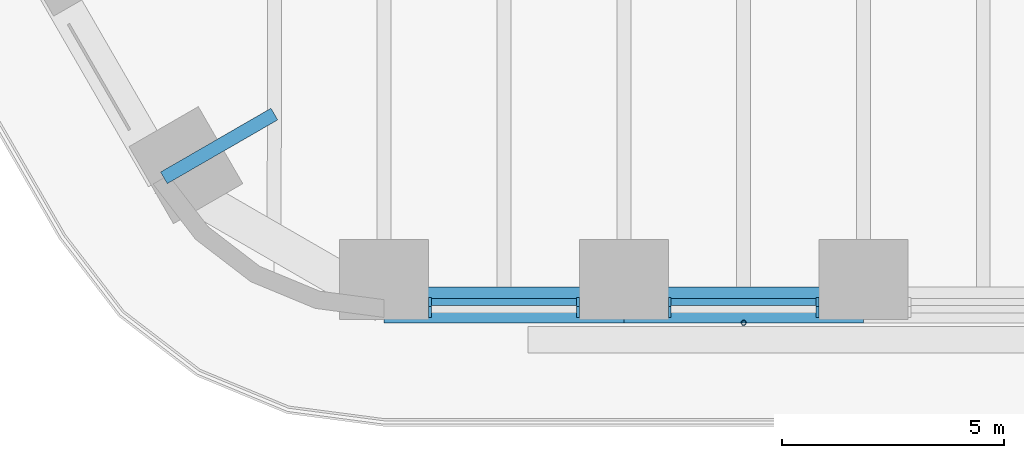
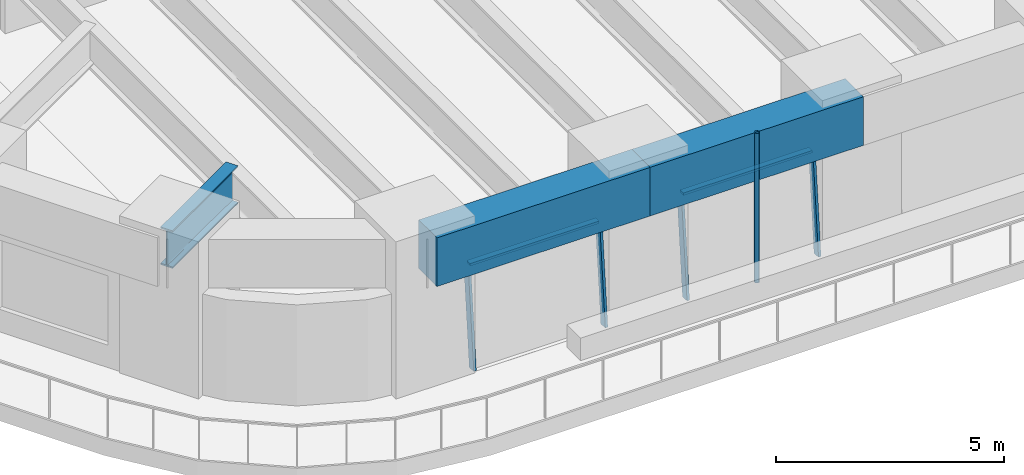
# One storey, part 2 of 23: 7 members, 3 beams, 2 elements without a shape of their own.
"""IFC4 building model written with IfcOpenShell, lengths in metres."""

from ifc_helpers import new_model, si_unit, direction, frame, origin, origin_2d, place, context, subcontext, project, spatial, rectangle, hollow_circle, i_section, extrude, material, material_profile, profile_set, type_object, element, aggregate, save


model = new_model("IFC4")

# Units and contexts
model_context = context("Model", 3, precision=1e-05, world=origin(), true_north=direction((0.0, 1.0)))
body_context = subcontext(model_context, "Body", "Model", "MODEL_VIEW")
ifc_project = project(units=[si_unit("LENGTHUNIT", "METRE"), si_unit("AREAUNIT", "SQUARE_METRE"), si_unit("VOLUMEUNIT", "CUBIC_METRE"), si_unit("PLANEANGLEUNIT", "RADIAN"), si_unit("MASSUNIT", "GRAM", prefix="KILO")], contexts=[model_context])

# Site, building, storey
site_placement = place(None, origin())
site = spatial("IfcSite", under=ifc_project, at=site_placement, CompositionType="ELEMENT")
building_placement = place(site_placement, origin())
building = spatial("IfcBuilding", under=site, at=building_placement, Name="Tarfa Lantern Tower", CompositionType="ELEMENT")
storey_placement = place(building_placement, frame((0.0, 0.0, 57.10009765625)))
storey = spatial("IfcBuildingStorey", under=building, at=storey_placement, Name="L12", CompositionType="ELEMENT", Elevation=57.10009765625)

# Curtain wall, members
ifc_material_1 = material(Name="Aluminium framed curtain wall", Category="aluminium")
curtain_wall_type = type_object("IfcCurtainWallType", Name="CW1 CANTED GLAZING LOW ZONE 2700", PredefinedType="USERDEFINED", material=ifc_material_1)
curtain_wall_1_placement = place(storey_placement, origin())
curtain_wall_1 = element("IfcCurtainWall", 1, at=curtain_wall_1_placement, inside=storey, type_object=curtain_wall_type, Name="CW1 S L12", ObjectType="CURTAIN WALL", PredefinedType="USERDEFINED")
ifc_material_2 = material(Name="Aluminium mullion", Category="aluminium")
ifc_material_profile_1 = material_profile(ifc_material_2, rectangle(XDim=0.06494140625, YDim=0.199951171875, at=origin_2d()), Name="AL MULLION 65x200")
ifc_profile_set_1 = profile_set([ifc_material_profile_1], Name="Aluminium mullion")
member_type_1 = type_object("IfcMemberType", Name="CWM1 MULLION 65x200", PredefinedType="MULLION", material=ifc_profile_set_1)
member_1_placement = place(storey_placement, frame((-15.13330078125, -33.89990234375, 0.0), z_axis=(0.0, 0.092199863775, 0.995740520979), x_axis=(-1.0, 0.0, 0.0)))
member_1 = element("IfcMember", 2, at=member_1_placement, type_object=member_type_1, Name="CW1 mullion 1", PredefinedType="MULLION", context=body_context, shape_type="SweptSolid", body=[
    extrude(rectangle(XDim=0.06494140625, YDim=0.199951171875, at=origin_2d()), origin(), (0.0, 0.0, 1.0), 2.71142578125),
])
member_2_placement = place(storey_placement, frame((-11.809814453125, -33.89990234375, 0.0), z_axis=(0.0, 0.092199863775, 0.995740520979), x_axis=(-1.0, 0.0, 0.0)))
member_2 = element("IfcMember", 3, at=member_2_placement, type_object=member_type_1, Name="CW1 mullion 2", PredefinedType="MULLION", context=body_context, shape_type="SweptSolid", body=[
    extrude(rectangle(XDim=0.06494140625, YDim=0.199951171875, at=origin_2d()), origin(), (0.0, 0.0, 1.0), 2.71142578125),
])

curtain_wall_2_placement = place(storey_placement, origin())
curtain_wall_2 = element("IfcCurtainWall", 4, at=curtain_wall_2_placement, inside=storey, type_object=curtain_wall_type, Name="CW1 S L12", ObjectType="CURTAIN WALL", PredefinedType="USERDEFINED")
member_3_placement = place(storey_placement, frame((-9.74462890625, -33.89990234375, 0.0), z_axis=(0.0, 0.092199863775, 0.995740520979), x_axis=(-1.0, 0.0, 0.0)))
member_3 = element("IfcMember", 5, at=member_3_placement, type_object=member_type_1, Name="CW1 mullion 1", PredefinedType="MULLION", context=body_context, shape_type="SweptSolid", body=[
    extrude(rectangle(XDim=0.06494140625, YDim=0.199951171875, at=origin_2d()), origin(), (0.0, 0.0, 1.0), 2.71142578125),
])
member_4_placement = place(storey_placement, frame((-6.421142578125, -33.89990234375, 0.0), z_axis=(0.0, 0.092199863775, 0.995740520979), x_axis=(-1.0, 0.0, 0.0)))
member_4 = element("IfcMember", 6, at=member_4_placement, type_object=member_type_1, Name="CW1 mullion 2", PredefinedType="MULLION", context=body_context, shape_type="SweptSolid", body=[
    extrude(rectangle(XDim=0.06494140625, YDim=0.199951171875, at=origin_2d()), origin(), (0.0, 0.0, 1.0), 2.71142578125),
])

# Member
ifc_material_3 = material(Name="Aluminium transom", Category="aluminium")
ifc_material_profile_2 = material_profile(ifc_material_3, rectangle(XDim=0.14990234375, YDim=0.06494140625, at=origin_2d()), Name="AL TRANSOM 150x65")
ifc_profile_set_2 = profile_set([ifc_material_profile_2], Name="Aluminium transom")
member_type_2 = type_object("IfcMemberType", Name="CWT1 TRANSOM 150x65", PredefinedType="USERDEFINED", material=ifc_profile_set_2)
member_5_placement = place(storey_placement, frame((-15.100830078125, -33.653076171875, 2.66748046875), z_axis=(1.0, 0.0, 0.0), x_axis=(0.0, 1.0, 0.0)))
member_5 = element("IfcMember", 7, at=member_5_placement, type_object=member_type_2, Name="CW1 transom 1.2", ObjectType="TRANSOM", PredefinedType="USERDEFINED", context=body_context, shape_type="SweptSolid", body=[
    extrude(rectangle(XDim=0.14990234375, YDim=0.06494140625, at=origin_2d()), origin(), (0.0, 0.0, 1.0), 3.258544921875),
])

aggregate(curtain_wall_1, [member_1, member_2, member_5])

member_6_placement = place(storey_placement, frame((-9.712158203125, -33.653076171875, 2.66748046875), z_axis=(1.0, 0.0, 0.0), x_axis=(0.0, 1.0, 0.0)))
member_6 = element("IfcMember", 8, at=member_6_placement, type_object=member_type_2, Name="CW1 transom 1.2", ObjectType="TRANSOM", PredefinedType="USERDEFINED", context=body_context, shape_type="SweptSolid", body=[
    extrude(rectangle(XDim=0.14990234375, YDim=0.06494140625, at=origin_2d()), origin(), (0.0, 0.0, 1.0), 3.258544921875),
])

aggregate(curtain_wall_2, [member_3, member_4, member_6])

# Beams
ifc_material_4 = material(Name="Concrete C80/95", Category="concrete")
ifc_material_profile_3 = material_profile(ifc_material_4, rectangle(XDim=0.800048828125, YDim=1.300048828125, at=origin_2d()), Name="RC 800x1300")
ifc_profile_set_3 = profile_set([ifc_material_profile_3], Name="Concrete C80/95")
beam_type_1 = type_object("IfcBeamType", Name="EB1 RC 800x1300", PredefinedType="SPANDREL", material=ifc_profile_set_3)
beam_1_placement = place(storey_placement, frame((-16.165771484375, -33.719970703125, 3.349853515625), z_axis=(1.0, 0.0, 0.0), x_axis=(0.0, 1.0, 0.0)))
element("IfcBeam", 9, at=beam_1_placement, inside=storey, type_object=beam_type_1, Name="Edge beam S0", PredefinedType="SPANDREL", context=body_context, shape_type="SweptSolid", body=[
    extrude(rectangle(XDim=0.800048828125, YDim=1.300048828125, at=origin_2d()), origin(), (0.0, 0.0, 1.0), 5.388671875),
])
beam_2_placement = place(storey_placement, frame((-10.777099609375, -33.719970703125, 3.349853515625), z_axis=(1.0, 0.0, 0.0), x_axis=(0.0, 1.0, 0.0)))
element("IfcBeam", 10, at=beam_2_placement, inside=storey, type_object=beam_type_1, Name="Edge beam S1", PredefinedType="SPANDREL", context=body_context, shape_type="SweptSolid", body=[
    extrude(rectangle(XDim=0.800048828125, YDim=1.300048828125, at=origin_2d()), origin(), (0.0, 0.0, 1.0), 5.388427734375),
])

# Member
ifc_material_5 = material(Name="Steel S355", Category="steel")
ifc_material_profile_4 = material_profile(ifc_material_5, hollow_circle(Radius=0.05712890625, WallThickness=0.00634765625, at=origin_2d()), Name="CHS114.3x6.3")
ifc_profile_set_4 = profile_set([ifc_material_profile_4], Name="Steel S355")
member_type_3 = type_object("IfcMemberType", Name="TR1 GREEN WALL TRELLIS CHS114.3x6.3", PredefinedType="USERDEFINED", material=ifc_profile_set_4)
member_7_placement = place(storey_placement, frame((-8.0830078125, -34.1201171875, 0.0), z_axis=(0.0, 0.0, 1.0), x_axis=(1.0, 0.0, 0.0)))
element("IfcMember", 11, at=member_7_placement, inside=storey, type_object=member_type_3, Name="Trellis post S 1", ObjectType="TRELLIS", PredefinedType="USERDEFINED", context=body_context, shape_type="SweptSolid", body=[
    extrude(hollow_circle(Radius=0.05712890625, WallThickness=0.00634765625, at=origin_2d()), origin(), (0.0, 0.0, 1.0), 4.0),
])

# Beam
ifc_material_6 = material(Name="Steel S460M", Category="steel")
ifc_material_profile_5 = material_profile(ifc_material_6, i_section(OverallWidth=0.302001953125, OverallDepth=1.008056640625, WebThickness=0.02099609375, FlangeThickness=0.0400390625, FilletRadius=0.030029296875, at=origin_2d()), Name="UB1016x305x349")
ifc_profile_set_5 = profile_set([ifc_material_profile_5], Name="Steel S460M")
beam_type_2 = type_object("IfcBeamType", Name="UB1016x305x349", PredefinedType="BEAM", material=ifc_profile_set_5)
beam_3_placement = place(storey_placement, frame((-21.119384765625, -30.860107421875, 3.495849609375), z_axis=(0.866012580594, 0.500022209759, 0.0), x_axis=(-0.500022209759, 0.866012580594, 0.0)))
element("IfcBeam", 12, at=beam_3_placement, inside=storey, type_object=beam_type_2, Name="Floor beam SW6", PredefinedType="BEAM", context=body_context, shape_type="SweptSolid", body=[
    extrude(i_section(OverallWidth=0.302001953125, OverallDepth=1.008056640625, WebThickness=0.02099609375, FlangeThickness=0.0400390625, FilletRadius=0.030029296875, at=origin_2d()), origin(), (0.0, 0.0, 1.0), 2.866943359375),
])

save(model, "model.ifc")
